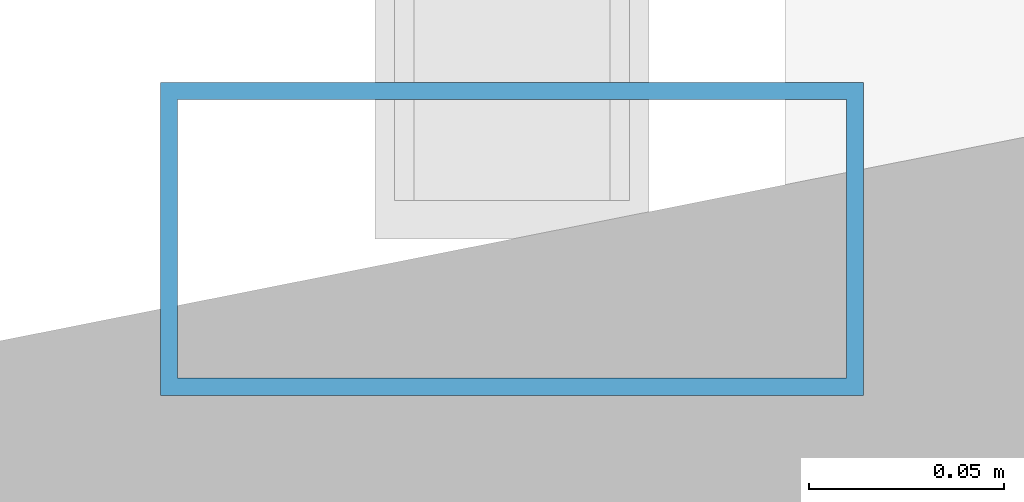
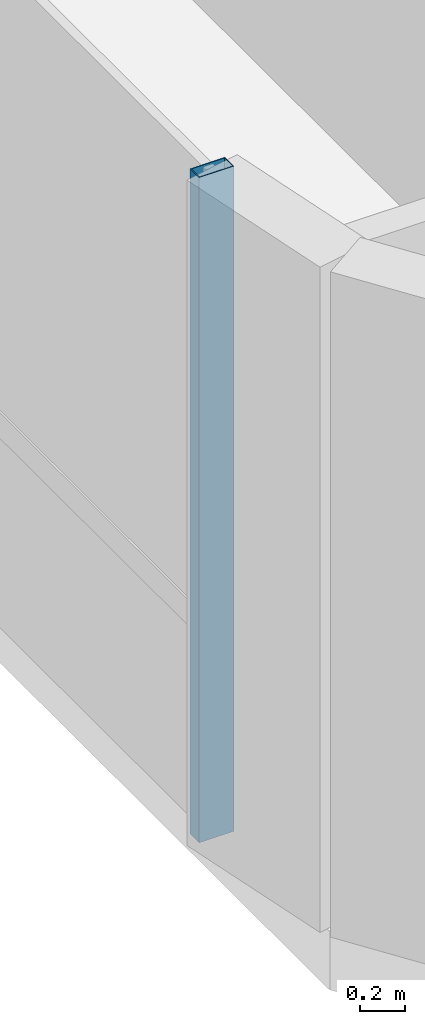
# One storey, part 9 of 38: 1 member, 1 element without a shape of its own.
"""IFC4 building model written with IfcOpenShell, lengths in metres."""

from ifc_helpers import new_model, si_unit, direction, frame, origin, origin_2d, place, context, subcontext, project, spatial, hollow_rectangle, extrude, source, transform, mapped, material, material_profile, profile_set, type_object, element, aggregate, save


model = new_model("IFC4")

# Units and contexts
model_context = context("Model", 3, precision=1e-05, world=origin(), true_north=direction((0.0, 1.0)))
body_context = subcontext(model_context, "Body", "Model", "MODEL_VIEW")
ifc_project = project(units=[si_unit("LENGTHUNIT", "METRE"), si_unit("AREAUNIT", "SQUARE_METRE"), si_unit("VOLUMEUNIT", "CUBIC_METRE"), si_unit("PLANEANGLEUNIT", "RADIAN"), si_unit("MASSUNIT", "GRAM", prefix="KILO")], contexts=[model_context])

# Site, building, storey
site_placement = place(None, origin())
site = spatial("IfcSite", under=ifc_project, at=site_placement, CompositionType="ELEMENT")
building_placement = place(site_placement, origin())
building = spatial("IfcBuilding", under=site, at=building_placement, Name="Valdorenza Pilgrim Sanctuary Tower", CompositionType="ELEMENT")
storey_placement = place(building_placement, frame((0.0, 0.0, 180.5)))
storey = spatial("IfcBuildingStorey", under=building, at=storey_placement, Name="L46", CompositionType="ELEMENT", Elevation=180.5)

# Curtain wall, member
ifc_material_1 = material(Name="Curtain-wall IGU glazing", Category="glass")
curtain_wall_type = type_object("IfcCurtainWallType", Name="CW-SYS-05", PredefinedType="NOTDEFINED", material=ifc_material_1)
curtain_wall_placement = place(storey_placement, origin())
curtain_wall = element("IfcCurtainWall", 1, at=curtain_wall_placement, inside=storey, type_object=curtain_wall_type, Name="L46 Curtain Wall CW-L46-1-47", PredefinedType="NOTDEFINED")
ifc_material_2 = material(Name="Anodised aluminium AW-6060", Category="aluminium")
ifc_material_profile = material_profile(ifc_material_2, hollow_rectangle(XDim=0.080078125, YDim=0.179931640625, WallThickness=0.00439453125, at=origin_2d()), Name="ALU-M 180x80x4.5")
ifc_profile_set = profile_set([ifc_material_profile], Name="Anodised aluminium AW-6060")
member_type = type_object("IfcMemberType", Name="CW-MUL-05", PredefinedType="MULLION", material=ifc_profile_set)
shared_shape = source(origin(), body_context, "Body", "SweptSolid", [
    extrude(hollow_rectangle(XDim=0.080078125, YDim=0.179931640625, WallThickness=0.00439453125, at=origin_2d()), origin(), (0.0, 0.0, 1.0), 3.6298828125),
])
member_placement = place(storey_placement, frame((13.610107421875, -9.589111328125, 0.0), z_axis=(0.0, 0.0, 1.0), x_axis=(0.0, 1.0, 0.0)))
member = element("IfcMember", 2, at=member_placement, type_object=member_type, Name="CW-L46-1-47 Mullion 1", PredefinedType="MULLION", context=body_context, shape_type="MappedRepresentation", body=[
    mapped(shared_shape, transform((0.0, 0.0, 0.0), x_axis=(1.0, 0.0, 0.0), y_axis=(0.0, 1.0, 0.0), z_axis=(0.0, 0.0, 1.0), scale=1.0)),
])
aggregate(curtain_wall, [member])

save(model, "model.ifc")
